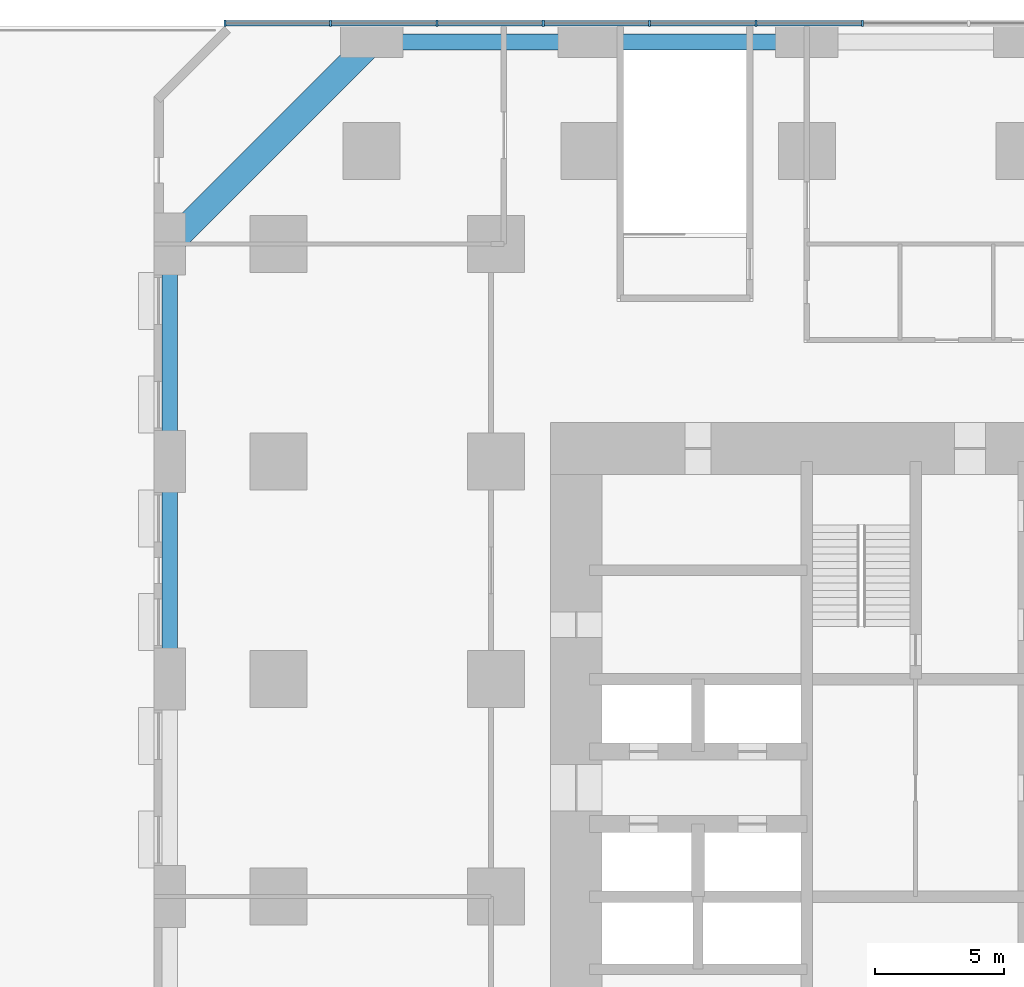
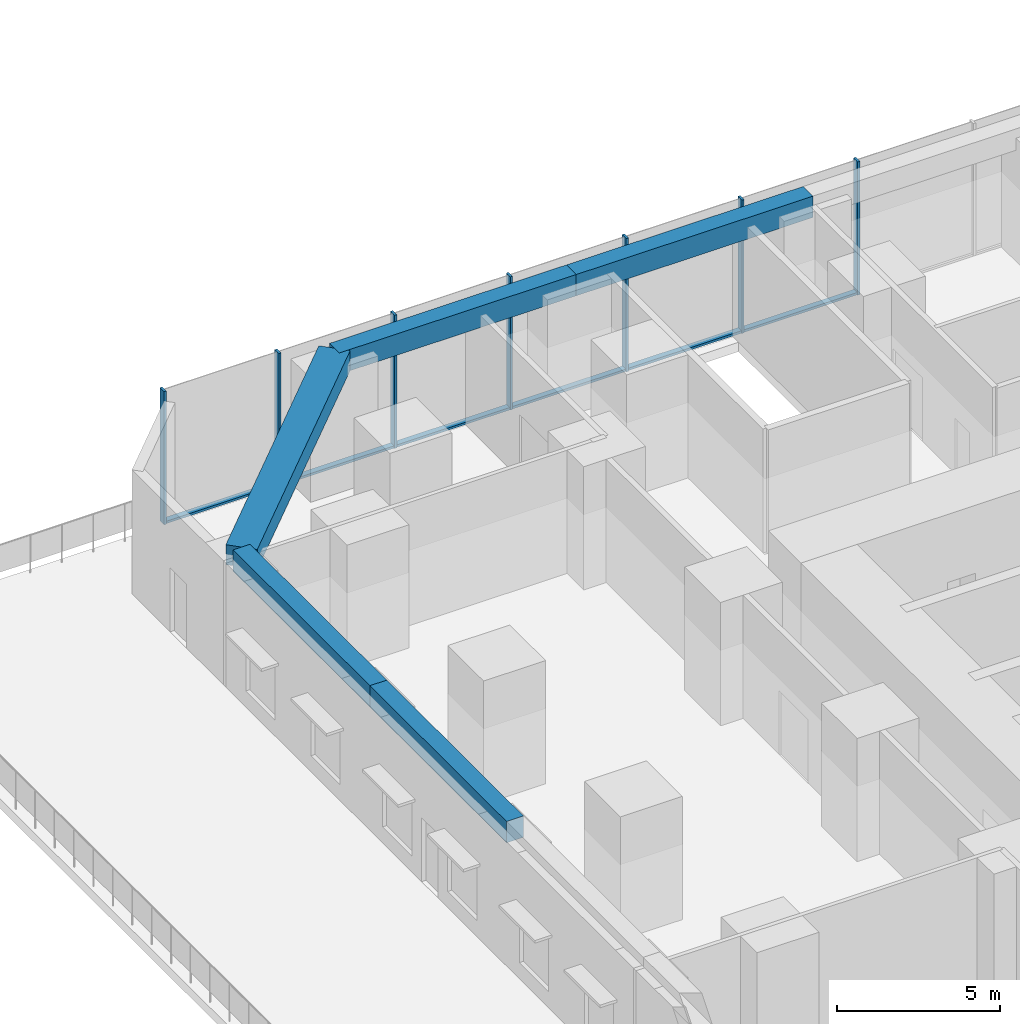
# One storey, part 4 of 12: 13 members, 5 beams, 1 element without a shape of its own.
"""IFC4 building model written with IfcOpenShell, lengths in metres."""

from ifc_helpers import new_model, si_unit, direction, frame, origin, origin_2d, place, context, subcontext, project, spatial, rectangle, extrude, material, material_profile, profile_set, type_object, element, aggregate, save


model = new_model("IFC4")

# Units and contexts
model_context = context("Model", 3, precision=1e-05, world=origin(), true_north=direction((0.0, 1.0)))
body_context = subcontext(model_context, "Body", "Model", "MODEL_VIEW")
ifc_project = project(units=[si_unit("LENGTHUNIT", "METRE"), si_unit("AREAUNIT", "SQUARE_METRE"), si_unit("VOLUMEUNIT", "CUBIC_METRE"), si_unit("PLANEANGLEUNIT", "RADIAN"), si_unit("MASSUNIT", "GRAM", prefix="KILO")], contexts=[model_context])

# Site, building, storey
site_placement = place(None, origin())
site = spatial("IfcSite", under=ifc_project, at=site_placement, CompositionType="ELEMENT")
building_placement = place(site_placement, origin())
building = spatial("IfcBuilding", under=site, at=building_placement, Name="Dunama Terrace Hotel", CompositionType="ELEMENT")
storey_placement = place(building_placement, frame((0.0, 0.0, 22.0)))
storey = spatial("IfcBuildingStorey", under=building, at=storey_placement, Name="L04", CompositionType="ELEMENT", Elevation=22.0)

# Curtain wall, members
ifc_material_1 = material(Name="Aluminium curtain wall system", Category="aluminium")
curtain_wall_type = type_object("IfcCurtainWallType", Name="Podium storefront glazing CW-E", PredefinedType="NOTDEFINED", material=ifc_material_1)
curtain_wall_placement = place(storey_placement, origin())
curtain_wall = element("IfcCurtainWall", 1, at=curtain_wall_placement, inside=storey, type_object=curtain_wall_type, Name="Podium storefront glazing CW-E L04", PredefinedType="NOTDEFINED")
ifc_material_2 = material(Name="Aluminium mullion", Category="aluminium")
ifc_material_profile_1 = material_profile(ifc_material_2, rectangle(XDim=0.080078125, YDim=0.25, at=origin_2d()), Name="CWE MULLION 80X250")
ifc_profile_set_1 = profile_set([ifc_material_profile_1], Name="Aluminium mullion")
member_type_1 = type_object("IfcMemberType", Name="CWE mullion 80x250", PredefinedType="MULLION", material=ifc_profile_set_1)
member_1_placement = place(storey_placement, frame((27.345947265625, 58.925048828125, 0.0), z_axis=(0.0, 0.0, 1.0), x_axis=(-1.0, 0.0, 0.0)))
member_1 = element("IfcMember", 2, at=member_1_placement, type_object=member_type_1, Name="CWE mullion", PredefinedType="MULLION", context=body_context, shape_type="SweptSolid", body=[
    extrude(rectangle(XDim=0.080078125, YDim=0.25, at=origin_2d()), origin(), (0.0, 0.0, 1.0), 5.0),
])
member_2_placement = place(storey_placement, frame((23.238037109375, 58.925048828125, 0.0), z_axis=(0.0, 0.0, 1.0), x_axis=(-1.0, 0.0, 0.0)))
member_2 = element("IfcMember", 3, at=member_2_placement, type_object=member_type_1, Name="CWE mullion", PredefinedType="MULLION", context=body_context, shape_type="SweptSolid", body=[
    extrude(rectangle(XDim=0.080078125, YDim=0.25, at=origin_2d()), origin(), (0.0, 0.0, 1.0), 5.0),
])
member_3_placement = place(storey_placement, frame((19.131103515625, 58.925048828125, 0.0), z_axis=(0.0, 0.0, 1.0), x_axis=(-1.0, 0.0, 0.0)))
member_3 = element("IfcMember", 4, at=member_3_placement, type_object=member_type_1, Name="CWE mullion", PredefinedType="MULLION", context=body_context, shape_type="SweptSolid", body=[
    extrude(rectangle(XDim=0.080078125, YDim=0.25, at=origin_2d()), origin(), (0.0, 0.0, 1.0), 5.0),
])
member_4_placement = place(storey_placement, frame((15.02294921875, 58.925048828125, 0.0), z_axis=(0.0, 0.0, 1.0), x_axis=(-1.0, 0.0, 0.0)))
member_4 = element("IfcMember", 5, at=member_4_placement, type_object=member_type_1, Name="CWE mullion", PredefinedType="MULLION", context=body_context, shape_type="SweptSolid", body=[
    extrude(rectangle(XDim=0.080078125, YDim=0.25, at=origin_2d()), origin(), (0.0, 0.0, 1.0), 5.0),
])
member_5_placement = place(storey_placement, frame((10.9150390625, 58.925048828125, 0.0), z_axis=(0.0, 0.0, 1.0), x_axis=(-1.0, 0.0, 0.0)))
member_5 = element("IfcMember", 6, at=member_5_placement, type_object=member_type_1, Name="CWE mullion", PredefinedType="MULLION", context=body_context, shape_type="SweptSolid", body=[
    extrude(rectangle(XDim=0.080078125, YDim=0.25, at=origin_2d()), origin(), (0.0, 0.0, 1.0), 5.0),
])
member_6_placement = place(storey_placement, frame((6.80810546875, 58.925048828125, 0.0), z_axis=(0.0, 0.0, 1.0), x_axis=(-1.0, 0.0, 0.0)))
member_6 = element("IfcMember", 7, at=member_6_placement, type_object=member_type_1, Name="CWE mullion", PredefinedType="MULLION", context=body_context, shape_type="SweptSolid", body=[
    extrude(rectangle(XDim=0.080078125, YDim=0.25, at=origin_2d()), origin(), (0.0, 0.0, 1.0), 5.0),
])
member_7_placement = place(storey_placement, frame((2.739990234375, 58.925048828125, 0.0), z_axis=(0.0, 0.0, 1.0), x_axis=(-1.0, 0.0, 0.0)))
member_7 = element("IfcMember", 8, at=member_7_placement, type_object=member_type_1, Name="CWE mullion", PredefinedType="MULLION", context=body_context, shape_type="SweptSolid", body=[
    extrude(rectangle(XDim=0.080078125, YDim=0.25, at=origin_2d()), origin(), (0.0, 0.0, 1.0), 5.0),
])
ifc_material_3 = material(Name="Aluminium transom", Category="aluminium")
ifc_material_profile_2 = material_profile(ifc_material_3, rectangle(XDim=0.199951171875, YDim=0.090087890625, at=origin_2d()), Name="CWE TRANSOM 200X90")
ifc_profile_set_2 = profile_set([ifc_material_profile_2], Name="Aluminium transom")
member_type_2 = type_object("IfcMemberType", Name="CWE transom 200x90", PredefinedType="USERDEFINED", material=ifc_profile_set_2)
member_8_placement = place(storey_placement, frame((27.305908203125, 58.925048828125, 0.044921875), z_axis=(-1.0, 0.0, 0.0), x_axis=(0.0, -1.0, 0.0)))
member_8 = element("IfcMember", 9, at=member_8_placement, type_object=member_type_2, Name="CWE transom", ObjectType="TRANSOM", PredefinedType="USERDEFINED", context=body_context, shape_type="SweptSolid", body=[
    extrude(rectangle(XDim=0.199951171875, YDim=0.090087890625, at=origin_2d()), origin(), (0.0, 0.0, 1.0), 4.02783203125),
])
member_9_placement = place(storey_placement, frame((23.197998046875, 58.925048828125, 0.044921875), z_axis=(-1.0, 0.0, 0.0), x_axis=(0.0, -1.0, 0.0)))
member_9 = element("IfcMember", 10, at=member_9_placement, type_object=member_type_2, Name="CWE transom", ObjectType="TRANSOM", PredefinedType="USERDEFINED", context=body_context, shape_type="SweptSolid", body=[
    extrude(rectangle(XDim=0.199951171875, YDim=0.090087890625, at=origin_2d()), origin(), (0.0, 0.0, 1.0), 4.027099609375),
])
member_10_placement = place(storey_placement, frame((19.091064453125, 58.925048828125, 0.044921875), z_axis=(-1.0, 0.0, 0.0), x_axis=(0.0, -1.0, 0.0)))
member_10 = element("IfcMember", 11, at=member_10_placement, type_object=member_type_2, Name="CWE transom", ObjectType="TRANSOM", PredefinedType="USERDEFINED", context=body_context, shape_type="SweptSolid", body=[
    extrude(rectangle(XDim=0.199951171875, YDim=0.090087890625, at=origin_2d()), origin(), (0.0, 0.0, 1.0), 4.028076171875),
])
member_11_placement = place(storey_placement, frame((14.98291015625, 58.925048828125, 0.044921875), z_axis=(-1.0, 0.0, 0.0), x_axis=(0.0, -1.0, 0.0)))
member_11 = element("IfcMember", 12, at=member_11_placement, type_object=member_type_2, Name="CWE transom", ObjectType="TRANSOM", PredefinedType="USERDEFINED", context=body_context, shape_type="SweptSolid", body=[
    extrude(rectangle(XDim=0.199951171875, YDim=0.090087890625, at=origin_2d()), origin(), (0.0, 0.0, 1.0), 4.02783203125),
])
member_12_placement = place(storey_placement, frame((10.875, 58.925048828125, 0.044921875), z_axis=(-1.0, 0.0, 0.0), x_axis=(0.0, -1.0, 0.0)))
member_12 = element("IfcMember", 13, at=member_12_placement, type_object=member_type_2, Name="CWE transom", ObjectType="TRANSOM", PredefinedType="USERDEFINED", context=body_context, shape_type="SweptSolid", body=[
    extrude(rectangle(XDim=0.199951171875, YDim=0.090087890625, at=origin_2d()), origin(), (0.0, 0.0, 1.0), 4.027099609375),
])
member_13_placement = place(storey_placement, frame((6.76806640625, 58.925048828125, 0.044921875), z_axis=(-1.0, 0.0, 0.0), x_axis=(0.0, -1.0, 0.0)))
member_13 = element("IfcMember", 14, at=member_13_placement, type_object=member_type_2, Name="CWE transom", ObjectType="TRANSOM", PredefinedType="USERDEFINED", context=body_context, shape_type="SweptSolid", body=[
    extrude(rectangle(XDim=0.199951171875, YDim=0.090087890625, at=origin_2d()), origin(), (0.0, 0.0, 1.0), 3.988037109375),
])
aggregate(curtain_wall, [member_1, member_2, member_3, member_4, member_5, member_6, member_7, member_8, member_9, member_10, member_11, member_12, member_13])

# Beams
ifc_material_4 = material(Name="Concrete C50/60", Category="concrete")
ifc_material_profile_3 = material_profile(ifc_material_4, rectangle(XDim=1.0, YDim=0.75, at=origin_2d()), Name="RC 1000x750")
ifc_profile_set_3 = profile_set([ifc_material_profile_3], Name="Concrete C50/60")
beam_type_1 = type_object("IfcBeamType", Name="Edge beam RC 1000x750", PredefinedType="SPANDREL", material=ifc_profile_set_3)
beam_1_placement = place(storey_placement, frame((8.39990234375, 58.199951171875, 4.625), z_axis=(-0.707095714747, -0.707117847453, 0.0), x_axis=(0.707117847453, -0.707095714747, 0.0)))
element("IfcBeam", 15, at=beam_1_placement, inside=storey, type_object=beam_type_1, Name="Corner edge beam under L05", PredefinedType="SPANDREL", context=body_context, shape_type="SweptSolid", body=[
    extrude(rectangle(XDim=1.0, YDim=0.75, at=origin_2d()), origin(), (0.0, 0.0, 1.0), 11.03076171875),
])
ifc_material_5 = material(Name="Concrete C40/50", Category="concrete")
ifc_material_profile_4 = material_profile(ifc_material_5, rectangle(XDim=0.60009765625, YDim=0.800048828125, at=origin_2d()), Name="RC 600x800")
ifc_profile_set_4 = profile_set([ifc_material_profile_4], Name="Concrete C40/50")
beam_type_2 = type_object("IfcBeamType", Name="Edge beam RC 600x800", PredefinedType="SPANDREL", material=ifc_profile_set_4)
for number, where, z_axis, x_axis, name in (
    (16, (0.60009765625, 33.60009765625, 4.60009765625), (0.0, 1.0, 0.0), (-1.0, 0.0, 0.0), "Edge beam under L05"),
    (17, (0.60009765625, 42.0, 4.60009765625), (0.0, 1.0, 0.0), (-1.0, 0.0, 0.0), "Edge beam under L05"),
):
    element("IfcBeam", number, at=place(storey_placement, frame(where, z_axis=z_axis, x_axis=x_axis)), inside=storey, type_object=beam_type_2, Name=name, PredefinedType="SPANDREL", context=body_context, shape_type="SweptSolid", body=[
        extrude(rectangle(XDim=0.60009765625, YDim=0.800048828125, at=origin_2d()), origin(), (0.0, 0.0, 1.0), 8.39990234375),
    ])
beam_2_placement = place(storey_placement, frame((8.39990234375, 58.199951171875, 4.60009765625), z_axis=(1.0, 0.0, 0.0), x_axis=(0.0, 1.0, 0.0)))
element("IfcBeam", 18, at=beam_2_placement, inside=storey, type_object=beam_type_2, Name="Edge beam under L05", PredefinedType="SPANDREL", context=body_context, shape_type="SweptSolid", body=[
    extrude(rectangle(XDim=0.60009765625, YDim=0.800048828125, at=origin_2d()), origin(), (0.0, 0.0, 1.0), 8.400146484375),
])
beam_3_placement = place(storey_placement, frame((16.800048828125, 58.199951171875, 4.60009765625), z_axis=(1.0, 0.0, 0.0), x_axis=(0.0, 1.0, 0.0)))
element("IfcBeam", 19, at=beam_3_placement, inside=storey, type_object=beam_type_2, Name="Edge beam under L05", PredefinedType="SPANDREL", context=body_context, shape_type="SweptSolid", body=[
    extrude(rectangle(XDim=0.60009765625, YDim=0.800048828125, at=origin_2d()), origin(), (0.0, 0.0, 1.0), 8.39990234375),
])

save(model, "model.ifc")
